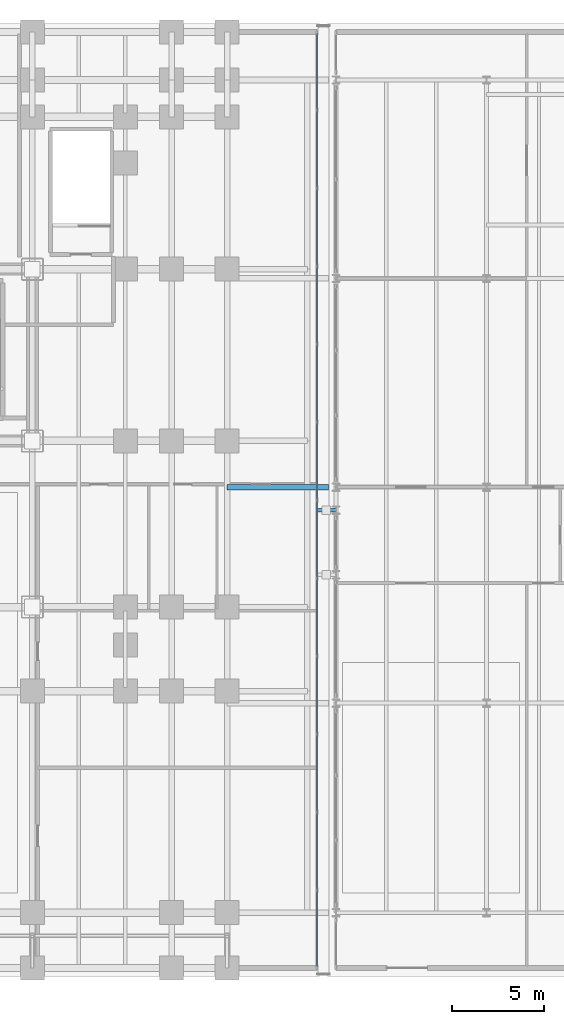
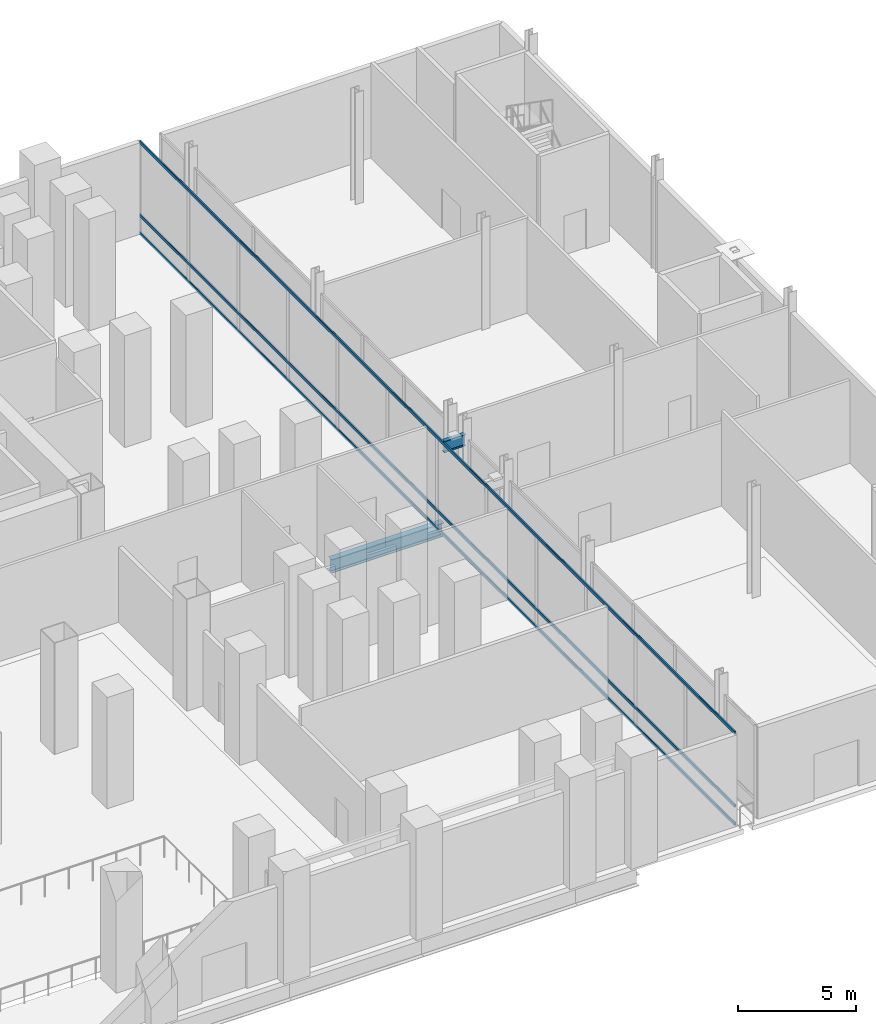
# One storey, part 13 of 36: 3 members, 2 beams, 1 element without a shape of its own.
"""IFC4 building model written with IfcOpenShell, lengths in metres."""

from ifc_helpers import new_model, si_unit, direction, frame, origin, origin_2d, place, context, subcontext, project, spatial, hollow_rectangle, i_section, extrude, material, material_profile, profile_set, type_object, element, aggregate, save


model = new_model("IFC4")

# Units and contexts
model_context = context("Model", 3, precision=1e-05, world=origin(), true_north=direction((0.0, 1.0)))
body_context = subcontext(model_context, "Body", "Model", "MODEL_VIEW")
ifc_project = project(units=[si_unit("LENGTHUNIT", "METRE"), si_unit("AREAUNIT", "SQUARE_METRE"), si_unit("VOLUMEUNIT", "CUBIC_METRE"), si_unit("PLANEANGLEUNIT", "RADIAN"), si_unit("MASSUNIT", "GRAM", prefix="KILO")], contexts=[model_context])

# Site, building, storey
site_placement = place(None, origin())
site = spatial("IfcSite", under=ifc_project, at=site_placement, CompositionType="ELEMENT")
building_placement = place(site_placement, origin())
building = spatial("IfcBuilding", under=site, at=building_placement, Name="Noeulbin Bourse Tower", CompositionType="ELEMENT")
storey_placement = place(building_placement, origin())
storey = spatial("IfcBuildingStorey", under=building, at=storey_placement, Name="L01", CompositionType="ELEMENT", Elevation=0.0)

# Beams
ifc_material_1 = material(Name="Steel S355", Category="steel")
ifc_material_profile_1 = material_profile(ifc_material_1, i_section(OverallWidth=0.199951171875, OverallDepth=0.60009765625, WebThickness=0.010986328125, FlangeThickness=0.01708984375, FilletRadius=0.02197265625, at=origin_2d()), Name="H-600x200x11x17", Category="LoadBearing")
ifc_profile_set_1 = profile_set([ifc_material_profile_1], Name="Steel S355")
beam_type_1 = type_object("IfcBeamType", Name="BM-GRD-600", PredefinedType="USERDEFINED", material=ifc_profile_set_1)
beam_1_placement = place(storey_placement, frame((59.39990234375, 25.25, 4.6298828125), z_axis=(1.0, 0.0, 0.0), x_axis=(0.0, 1.0, 0.0)))
element("IfcBeam", 1, at=beam_1_placement, inside=storey, type_object=beam_type_1, Name="Bridge Bearing Corbel Seat L02-2", ObjectType="GIRDER", PredefinedType="USERDEFINED", context=body_context, shape_type="SweptSolid", body=[
    extrude(i_section(OverallWidth=0.199951171875, OverallDepth=0.60009765625, WebThickness=0.010986328125, FlangeThickness=0.01708984375, FilletRadius=0.02197265625, at=origin_2d()), origin(), (0.0, 0.0, 1.0), 1.050048828125),
])
ifc_material_profile_2 = material_profile(ifc_material_1, i_section(OverallWidth=0.300048828125, OverallDepth=0.699951171875, WebThickness=0.012939453125, FlangeThickness=0.02392578125, FilletRadius=0.02392578125, at=origin_2d()), Name="H-700x300x13x24", Category="LoadBearing")
ifc_profile_set_2 = profile_set([ifc_material_profile_2], Name="Steel S355")
beam_type_2 = type_object("IfcBeamType", Name="BM-GRD-700", PredefinedType="USERDEFINED", material=ifc_profile_set_2)
beam_2_placement = place(storey_placement, frame((54.550048828125, 26.5, -0.60009765625), z_axis=(1.0, 0.0, 0.0), x_axis=(0.0, 1.0, 0.0)))
element("IfcBeam", 2, at=beam_2_placement, inside=storey, type_object=beam_type_2, Name="Concourse Slot Girder L01-03", ObjectType="GIRDER", PredefinedType="USERDEFINED", context=body_context, shape_type="SweptSolid", body=[
    extrude(i_section(OverallWidth=0.300048828125, OverallDepth=0.699951171875, WebThickness=0.012939453125, FlangeThickness=0.02392578125, FilletRadius=0.02392578125, at=origin_2d()), origin(), (0.0, 0.0, 1.0), 5.5),
])

# Curtain wall, members
ifc_material_2 = material(Name="Laminated Clear Low-E Glass", Category="glass")
curtain_wall_type = type_object("IfcCurtainWallType", Name="CW-SYS-1", PredefinedType="NOTDEFINED", material=ifc_material_2)
curtain_wall_placement = place(storey_placement, origin())
curtain_wall = element("IfcCurtainWall", 3, at=curtain_wall_placement, inside=storey, type_object=curtain_wall_type, Name="Unitised Curtain Wall CW-L01-GAL-W", PredefinedType="NOTDEFINED")
ifc_material_3 = material(Name="Anodised Aluminium 6063-T6", Category="aluminium")
ifc_material_profile_3 = material_profile(ifc_material_3, hollow_rectangle(XDim=0.074951171875, YDim=0.159912109375, WallThickness=0.0048828125, InnerFilletRadius=0.00244140625, OuterFilletRadius=0.0048828125, at=origin_2d()), Name="ALU-TRAN-75x160x5", Category="LoadBearing")
ifc_profile_set_3 = profile_set([ifc_material_profile_3], Name="Anodised Aluminium 6063-T6")
member_type = type_object("IfcMemberType", Name="CW-SYS-1-TRN", PredefinedType="USERDEFINED", material=ifc_profile_set_3)
member_1_placement = place(storey_placement, frame((59.419921875, 0.5, 0.010009765625), z_axis=(0.0, 1.0, 0.0), x_axis=(-1.0, 0.0, 0.0)))
member_1 = element("IfcMember", 4, at=member_1_placement, type_object=member_type, Name="Curtain Wall Transom CW-L01-GAL-W-T00", ObjectType="TRANSOM", PredefinedType="USERDEFINED", context=body_context, shape_type="SweptSolid", body=[
    extrude(hollow_rectangle(XDim=0.074951171875, YDim=0.159912109375, WallThickness=0.0048828125, InnerFilletRadius=0.00244140625, OuterFilletRadius=0.0048828125, at=origin_2d()), origin(), (0.0, 0.0, 1.0), 50.60009765625),
])
member_2_placement = place(storey_placement, frame((59.419921875, 0.5, 0.949951171875), z_axis=(0.0, 1.0, 0.0), x_axis=(-1.0, 0.0, 0.0)))
member_2 = element("IfcMember", 5, at=member_2_placement, type_object=member_type, Name="Curtain Wall Transom CW-L01-GAL-W-T01", ObjectType="TRANSOM", PredefinedType="USERDEFINED", context=body_context, shape_type="SweptSolid", body=[
    extrude(hollow_rectangle(XDim=0.074951171875, YDim=0.159912109375, WallThickness=0.0048828125, InnerFilletRadius=0.00244140625, OuterFilletRadius=0.0048828125, at=origin_2d()), origin(), (0.0, 0.0, 1.0), 50.60009765625),
])
member_3_placement = place(storey_placement, frame((59.419921875, 0.5, 4.739990234375), z_axis=(0.0, 1.0, 0.0), x_axis=(-1.0, 0.0, 0.0)))
member_3 = element("IfcMember", 6, at=member_3_placement, type_object=member_type, Name="Curtain Wall Transom CW-L01-GAL-W-T02", ObjectType="TRANSOM", PredefinedType="USERDEFINED", context=body_context, shape_type="SweptSolid", body=[
    extrude(hollow_rectangle(XDim=0.074951171875, YDim=0.159912109375, WallThickness=0.0048828125, InnerFilletRadius=0.00244140625, OuterFilletRadius=0.0048828125, at=origin_2d()), origin(), (0.0, 0.0, 1.0), 50.60009765625),
])
aggregate(curtain_wall, [member_1, member_2, member_3])

save(model, "model.ifc")
